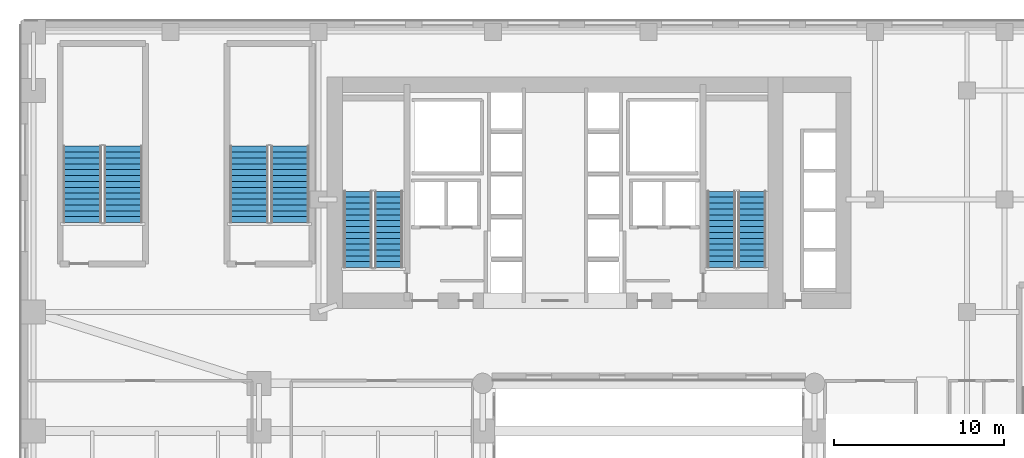
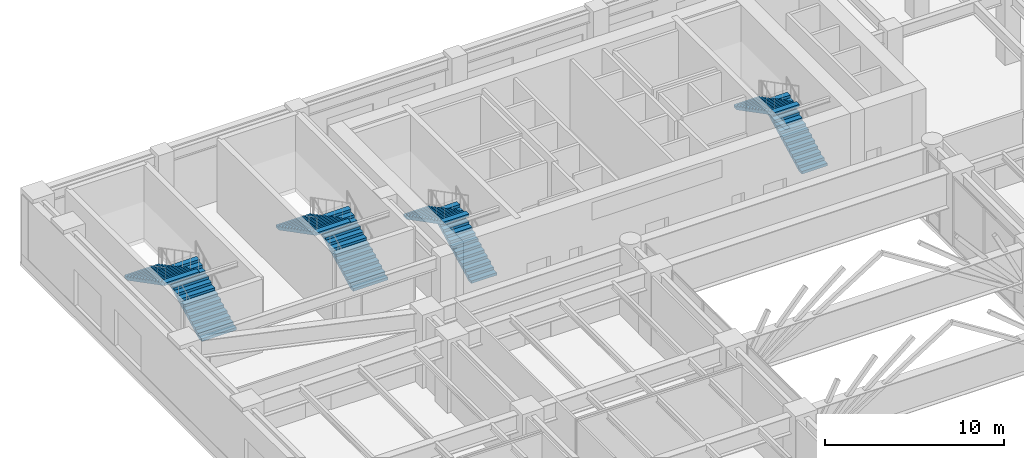
# One storey, part 31 of 39: 8 stair flights, 4 elements without a shape of their own.
"""IFC4 building model written with IfcOpenShell, lengths in metres."""

from ifc_helpers import new_model, si_unit, direction, frame, origin, place, context, subcontext, project, spatial, polyline, outline, extrude, material, type_object, element, aggregate, save


model = new_model("IFC4")

# Units and contexts
model_context = context("Model", 3, precision=1e-05, world=origin(), true_north=direction((0.0, 1.0)))
body_context = subcontext(model_context, "Body", "Model", "MODEL_VIEW")
ifc_project = project(units=[si_unit("LENGTHUNIT", "METRE"), si_unit("AREAUNIT", "SQUARE_METRE"), si_unit("VOLUMEUNIT", "CUBIC_METRE"), si_unit("PLANEANGLEUNIT", "RADIAN"), si_unit("MASSUNIT", "GRAM", prefix="KILO")], contexts=[model_context])

# Site, building, storey
site_placement = place(None, origin())
site = spatial("IfcSite", under=ifc_project, at=site_placement, CompositionType="ELEMENT")
building_placement = place(site_placement, origin())
building = spatial("IfcBuilding", under=site, at=building_placement, Name="Tolvann Quenvar Hotel", CompositionType="ELEMENT")
storey_placement = place(building_placement, frame((0.0, 0.0, 11.0)))
storey = spatial("IfcBuildingStorey", under=building, at=storey_placement, Name="L02", CompositionType="ELEMENT", Elevation=11.0)

# Stair, stair flights
ifc_material = material(Name="Concrete N40 (40 MPa)", Category="concrete")
stair_type = type_object("IfcStairType", Name="STAIR", PredefinedType="HALF_TURN_STAIR", material=ifc_material)
stair_1_placement = place(storey_placement, origin())
stair_1 = element("IfcStair", 1, at=stair_1_placement, inside=storey, type_object=stair_type, Name="L02 ST-C1", PredefinedType="HALF_TURN_STAIR")
stair_flight_type = type_object("IfcStairFlightType", Name="STAIR_FLIGHT", PredefinedType="STRAIGHT", material=ifc_material)
stair_flight_1_placement = place(storey_placement, frame((13.22509765625, 34.0, 0.0), z_axis=(0.0, 0.0, 1.0), x_axis=(0.0, 1.0, 0.0)))
stair_flight_1 = element("IfcStairFlight", 2, at=stair_flight_1_placement, type_object=stair_flight_type, Name="ST-C1 flight 1", NumberOfRisers=14, NumberOfTreads=13, PredefinedType="STRAIGHT", RiserHeight=0.178571429, TreadLength=0.345, context=body_context, shape_type="SweptSolid", body=[
    extrude(outline(polyline([(0.0, 0.0), (0.0, 0.178466796875), (0.344970703125, 0.178466796875), (0.344970703125, 0.357177734375), (0.68994140625, 0.357177734375), (0.68994140625, 0.53564453125), (1.034912109375, 0.53564453125), (1.034912109375, 0.71435546875), (1.3798828125, 0.71435546875), (1.3798828125, 0.892822265625), (1.72509765625, 0.892822265625), (1.72509765625, 1.071533203125), (2.070068359375, 1.071533203125), (2.070068359375, 1.25), (2.4150390625, 1.25), (2.4150390625, 1.428466796875), (2.760009765625, 1.428466796875), (2.760009765625, 1.607177734375), (3.10498046875, 1.607177734375), (3.10498046875, 1.78564453125), (3.449951171875, 1.78564453125), (3.449951171875, 1.96435546875), (3.794921875, 1.96435546875), (3.794921875, 2.142822265625), (4.139892578125, 2.142822265625), (4.139892578125, 2.321533203125), (4.485107421875, 2.321533203125), (4.485107421875, 2.5), (4.485107421875, 2.152587890625), (0.326171875, 0.0), (0.0, 0.0)])), frame((0.0, 0.824951171875, 0.0), z_axis=(0.0, -1.0, 0.0), x_axis=(1.0, 0.0, 0.0)), (0.0, 0.0, 1.0), 1.64990234375),
])
stair_flight_2_placement = place(storey_placement, frame((11.425048828125, 38.485107421875, 2.5), z_axis=(0.0, 0.0, 1.0), x_axis=(0.0, -1.0, 0.0)))
stair_flight_2 = element("IfcStairFlight", 3, at=stair_flight_2_placement, type_object=stair_flight_type, Name="ST-C1 flight 2", NumberOfRisers=14, NumberOfTreads=13, PredefinedType="STRAIGHT", RiserHeight=0.178571429, TreadLength=0.345, context=body_context, shape_type="SweptSolid", body=[
    extrude(outline(polyline([(0.0, 0.0), (0.0, 0.178466796875), (0.344970703125, 0.178466796875), (0.344970703125, 0.357177734375), (0.68994140625, 0.357177734375), (0.68994140625, 0.53564453125), (1.034912109375, 0.53564453125), (1.034912109375, 0.71435546875), (1.3798828125, 0.71435546875), (1.3798828125, 0.892822265625), (1.72509765625, 0.892822265625), (1.72509765625, 1.071533203125), (2.070068359375, 1.071533203125), (2.070068359375, 1.25), (2.4150390625, 1.25), (2.4150390625, 1.428466796875), (2.760009765625, 1.428466796875), (2.760009765625, 1.607177734375), (3.10498046875, 1.607177734375), (3.10498046875, 1.78564453125), (3.449951171875, 1.78564453125), (3.449951171875, 1.96435546875), (3.794921875, 1.96435546875), (3.794921875, 2.142822265625), (4.139892578125, 2.142822265625), (4.139892578125, 2.321533203125), (4.485107421875, 2.321533203125), (4.485107421875, 2.5), (4.485107421875, 2.152587890625), (0.326171875, 0.0), (0.0, 0.0)])), frame((0.0, 0.824951171875, 0.0), z_axis=(0.0, -1.0, 0.0), x_axis=(1.0, 0.0, 0.0)), (0.0, 0.0, 1.0), 1.64990234375),
])
aggregate(stair_1, [stair_flight_1, stair_flight_2])

stair_2_placement = place(storey_placement, origin())
stair_2 = element("IfcStair", 4, at=stair_2_placement, inside=storey, type_object=stair_type, Name="L02 ST-C2", PredefinedType="HALF_TURN_STAIR")
stair_flight_3_placement = place(storey_placement, frame((34.574951171875, 34.0, 0.0), z_axis=(0.0, 0.0, 1.0), x_axis=(0.0, 1.0, 0.0)))
stair_flight_3 = element("IfcStairFlight", 5, at=stair_flight_3_placement, type_object=stair_flight_type, Name="ST-C2 flight 1", NumberOfRisers=14, NumberOfTreads=13, PredefinedType="STRAIGHT", RiserHeight=0.178571429, TreadLength=0.345, context=body_context, shape_type="SweptSolid", body=[
    extrude(outline(polyline([(0.0, 0.0), (0.0, 0.178466796875), (0.344970703125, 0.178466796875), (0.344970703125, 0.357177734375), (0.68994140625, 0.357177734375), (0.68994140625, 0.53564453125), (1.034912109375, 0.53564453125), (1.034912109375, 0.71435546875), (1.3798828125, 0.71435546875), (1.3798828125, 0.892822265625), (1.72509765625, 0.892822265625), (1.72509765625, 1.071533203125), (2.070068359375, 1.071533203125), (2.070068359375, 1.25), (2.4150390625, 1.25), (2.4150390625, 1.428466796875), (2.760009765625, 1.428466796875), (2.760009765625, 1.607177734375), (3.10498046875, 1.607177734375), (3.10498046875, 1.78564453125), (3.449951171875, 1.78564453125), (3.449951171875, 1.96435546875), (3.794921875, 1.96435546875), (3.794921875, 2.142822265625), (4.139892578125, 2.142822265625), (4.139892578125, 2.321533203125), (4.485107421875, 2.321533203125), (4.485107421875, 2.5), (4.485107421875, 2.152587890625), (0.326171875, 0.0), (0.0, 0.0)])), frame((0.0, 0.824951171875, 0.0), z_axis=(0.0, -1.0, 0.0), x_axis=(1.0, 0.0, 0.0)), (0.0, 0.0, 1.0), 1.64990234375),
])
stair_flight_4_placement = place(storey_placement, frame((32.77490234375, 38.485107421875, 2.5), z_axis=(0.0, 0.0, 1.0), x_axis=(0.0, -1.0, 0.0)))
stair_flight_4 = element("IfcStairFlight", 6, at=stair_flight_4_placement, type_object=stair_flight_type, Name="ST-C2 flight 2", NumberOfRisers=14, NumberOfTreads=13, PredefinedType="STRAIGHT", RiserHeight=0.178571429, TreadLength=0.345, context=body_context, shape_type="SweptSolid", body=[
    extrude(outline(polyline([(0.0, 0.0), (0.0, 0.178466796875), (0.344970703125, 0.178466796875), (0.344970703125, 0.357177734375), (0.68994140625, 0.357177734375), (0.68994140625, 0.53564453125), (1.034912109375, 0.53564453125), (1.034912109375, 0.71435546875), (1.3798828125, 0.71435546875), (1.3798828125, 0.892822265625), (1.72509765625, 0.892822265625), (1.72509765625, 1.071533203125), (2.070068359375, 1.071533203125), (2.070068359375, 1.25), (2.4150390625, 1.25), (2.4150390625, 1.428466796875), (2.760009765625, 1.428466796875), (2.760009765625, 1.607177734375), (3.10498046875, 1.607177734375), (3.10498046875, 1.78564453125), (3.449951171875, 1.78564453125), (3.449951171875, 1.96435546875), (3.794921875, 1.96435546875), (3.794921875, 2.142822265625), (4.139892578125, 2.142822265625), (4.139892578125, 2.321533203125), (4.485107421875, 2.321533203125), (4.485107421875, 2.5), (4.485107421875, 2.152587890625), (0.326171875, 0.0), (0.0, 0.0)])), frame((0.0, 0.824951171875, 0.0), z_axis=(0.0, -1.0, 0.0), x_axis=(1.0, 0.0, 0.0)), (0.0, 0.0, 1.0), 1.64990234375),
])
aggregate(stair_2, [stair_flight_3, stair_flight_4])

stair_3_placement = place(storey_placement, origin())
stair_3 = element("IfcStair", 7, at=stair_3_placement, inside=storey, type_object=stair_type, Name="L02 ST-P1", PredefinedType="HALF_TURN_STAIR")
stair_flight_5_placement = place(storey_placement, frame((-2.375, 36.64990234375, 0.0), z_axis=(0.0, 0.0, 1.0), x_axis=(0.0, 1.0, 0.0)))
stair_flight_5 = element("IfcStairFlight", 8, at=stair_flight_5_placement, type_object=stair_flight_type, Name="ST-P1 flight 1", NumberOfRisers=14, NumberOfTreads=13, PredefinedType="STRAIGHT", RiserHeight=0.178571429, TreadLength=0.345, context=body_context, shape_type="SweptSolid", body=[
    extrude(outline(polyline([(0.0, 0.0), (0.0, 0.178466796875), (0.344970703125, 0.178466796875), (0.344970703125, 0.357177734375), (0.68994140625, 0.357177734375), (0.68994140625, 0.53564453125), (1.034912109375, 0.53564453125), (1.034912109375, 0.71435546875), (1.3798828125, 0.71435546875), (1.3798828125, 0.892822265625), (1.72509765625, 0.892822265625), (1.72509765625, 1.071533203125), (2.070068359375, 1.071533203125), (2.070068359375, 1.25), (2.4150390625, 1.25), (2.4150390625, 1.428466796875), (2.760009765625, 1.428466796875), (2.760009765625, 1.607177734375), (3.10498046875, 1.607177734375), (3.10498046875, 1.78564453125), (3.449951171875, 1.78564453125), (3.449951171875, 1.96435546875), (3.794921875, 1.96435546875), (3.794921875, 2.142822265625), (4.139892578125, 2.142822265625), (4.139892578125, 2.321533203125), (4.485107421875, 2.321533203125), (4.485107421875, 2.5), (4.485107421875, 2.152587890625), (0.326171875, 0.0), (0.0, 0.0)])), frame((0.0, 1.125, 0.0), z_axis=(0.0, -1.0, 0.0), x_axis=(1.0, 0.0, 0.0)), (0.0, 0.0, 1.0), 2.25),
])
stair_flight_6_placement = place(storey_placement, frame((-4.77490234375, 41.135009765625, 2.5), z_axis=(0.0, 0.0, 1.0), x_axis=(0.0, -1.0, 0.0)))
stair_flight_6 = element("IfcStairFlight", 9, at=stair_flight_6_placement, type_object=stair_flight_type, Name="ST-P1 flight 2", NumberOfRisers=14, NumberOfTreads=13, PredefinedType="STRAIGHT", RiserHeight=0.178571429, TreadLength=0.345, context=body_context, shape_type="SweptSolid", body=[
    extrude(outline(polyline([(0.0, 0.0), (0.0, 0.178466796875), (0.344970703125, 0.178466796875), (0.344970703125, 0.357177734375), (0.68994140625, 0.357177734375), (0.68994140625, 0.53564453125), (1.034912109375, 0.53564453125), (1.034912109375, 0.71435546875), (1.3798828125, 0.71435546875), (1.3798828125, 0.892822265625), (1.72509765625, 0.892822265625), (1.72509765625, 1.071533203125), (2.070068359375, 1.071533203125), (2.070068359375, 1.25), (2.4150390625, 1.25), (2.4150390625, 1.428466796875), (2.760009765625, 1.428466796875), (2.760009765625, 1.607177734375), (3.10498046875, 1.607177734375), (3.10498046875, 1.78564453125), (3.449951171875, 1.78564453125), (3.449951171875, 1.96435546875), (3.794921875, 1.96435546875), (3.794921875, 2.142822265625), (4.139892578125, 2.142822265625), (4.139892578125, 2.321533203125), (4.485107421875, 2.321533203125), (4.485107421875, 2.5), (4.485107421875, 2.152587890625), (0.326171875, 0.0), (0.0, 0.0)])), frame((0.0, 1.125, 0.0), z_axis=(0.0, -1.0, 0.0), x_axis=(1.0, 0.0, 0.0)), (0.0, 0.0, 1.0), 2.25),
])
aggregate(stair_3, [stair_flight_5, stair_flight_6])

stair_4_placement = place(storey_placement, origin())
stair_4 = element("IfcStair", 10, at=stair_4_placement, inside=storey, type_object=stair_type, Name="L02 ST-P2", PredefinedType="HALF_TURN_STAIR")
stair_flight_7_placement = place(storey_placement, frame((7.425048828125, 36.64990234375, 0.0), z_axis=(0.0, 0.0, 1.0), x_axis=(0.0, 1.0, 0.0)))
stair_flight_7 = element("IfcStairFlight", 11, at=stair_flight_7_placement, type_object=stair_flight_type, Name="ST-P2 flight 1", NumberOfRisers=14, NumberOfTreads=13, PredefinedType="STRAIGHT", RiserHeight=0.178571429, TreadLength=0.345, context=body_context, shape_type="SweptSolid", body=[
    extrude(outline(polyline([(0.0, 0.0), (0.0, 0.178466796875), (0.344970703125, 0.178466796875), (0.344970703125, 0.357177734375), (0.68994140625, 0.357177734375), (0.68994140625, 0.53564453125), (1.034912109375, 0.53564453125), (1.034912109375, 0.71435546875), (1.3798828125, 0.71435546875), (1.3798828125, 0.892822265625), (1.72509765625, 0.892822265625), (1.72509765625, 1.071533203125), (2.070068359375, 1.071533203125), (2.070068359375, 1.25), (2.4150390625, 1.25), (2.4150390625, 1.428466796875), (2.760009765625, 1.428466796875), (2.760009765625, 1.607177734375), (3.10498046875, 1.607177734375), (3.10498046875, 1.78564453125), (3.449951171875, 1.78564453125), (3.449951171875, 1.96435546875), (3.794921875, 1.96435546875), (3.794921875, 2.142822265625), (4.139892578125, 2.142822265625), (4.139892578125, 2.321533203125), (4.485107421875, 2.321533203125), (4.485107421875, 2.5), (4.485107421875, 2.152587890625), (0.326171875, 0.0), (0.0, 0.0)])), frame((0.0, 1.125, 0.0), z_axis=(0.0, -1.0, 0.0), x_axis=(1.0, 0.0, 0.0)), (0.0, 0.0, 1.0), 2.25),
])
stair_flight_8_placement = place(storey_placement, frame((5.02490234375, 41.135009765625, 2.5), z_axis=(0.0, 0.0, 1.0), x_axis=(0.0, -1.0, 0.0)))
stair_flight_8 = element("IfcStairFlight", 12, at=stair_flight_8_placement, type_object=stair_flight_type, Name="ST-P2 flight 2", NumberOfRisers=14, NumberOfTreads=13, PredefinedType="STRAIGHT", RiserHeight=0.178571429, TreadLength=0.345, context=body_context, shape_type="SweptSolid", body=[
    extrude(outline(polyline([(0.0, 0.0), (0.0, 0.178466796875), (0.344970703125, 0.178466796875), (0.344970703125, 0.357177734375), (0.68994140625, 0.357177734375), (0.68994140625, 0.53564453125), (1.034912109375, 0.53564453125), (1.034912109375, 0.71435546875), (1.3798828125, 0.71435546875), (1.3798828125, 0.892822265625), (1.72509765625, 0.892822265625), (1.72509765625, 1.071533203125), (2.070068359375, 1.071533203125), (2.070068359375, 1.25), (2.4150390625, 1.25), (2.4150390625, 1.428466796875), (2.760009765625, 1.428466796875), (2.760009765625, 1.607177734375), (3.10498046875, 1.607177734375), (3.10498046875, 1.78564453125), (3.449951171875, 1.78564453125), (3.449951171875, 1.96435546875), (3.794921875, 1.96435546875), (3.794921875, 2.142822265625), (4.139892578125, 2.142822265625), (4.139892578125, 2.321533203125), (4.485107421875, 2.321533203125), (4.485107421875, 2.5), (4.485107421875, 2.152587890625), (0.326171875, 0.0), (0.0, 0.0)])), frame((0.0, 1.125, 0.0), z_axis=(0.0, -1.0, 0.0), x_axis=(1.0, 0.0, 0.0)), (0.0, 0.0, 1.0), 2.25),
])
aggregate(stair_4, [stair_flight_7, stair_flight_8])

save(model, "model.ifc")
